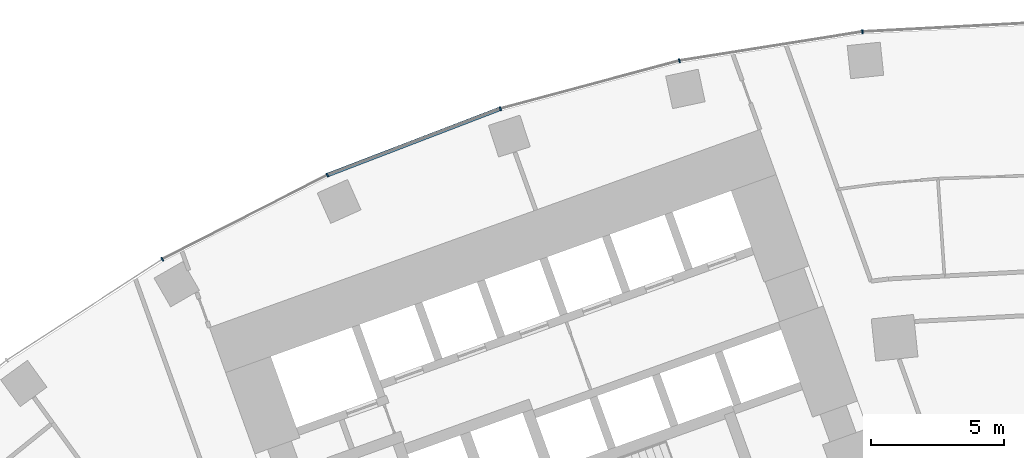
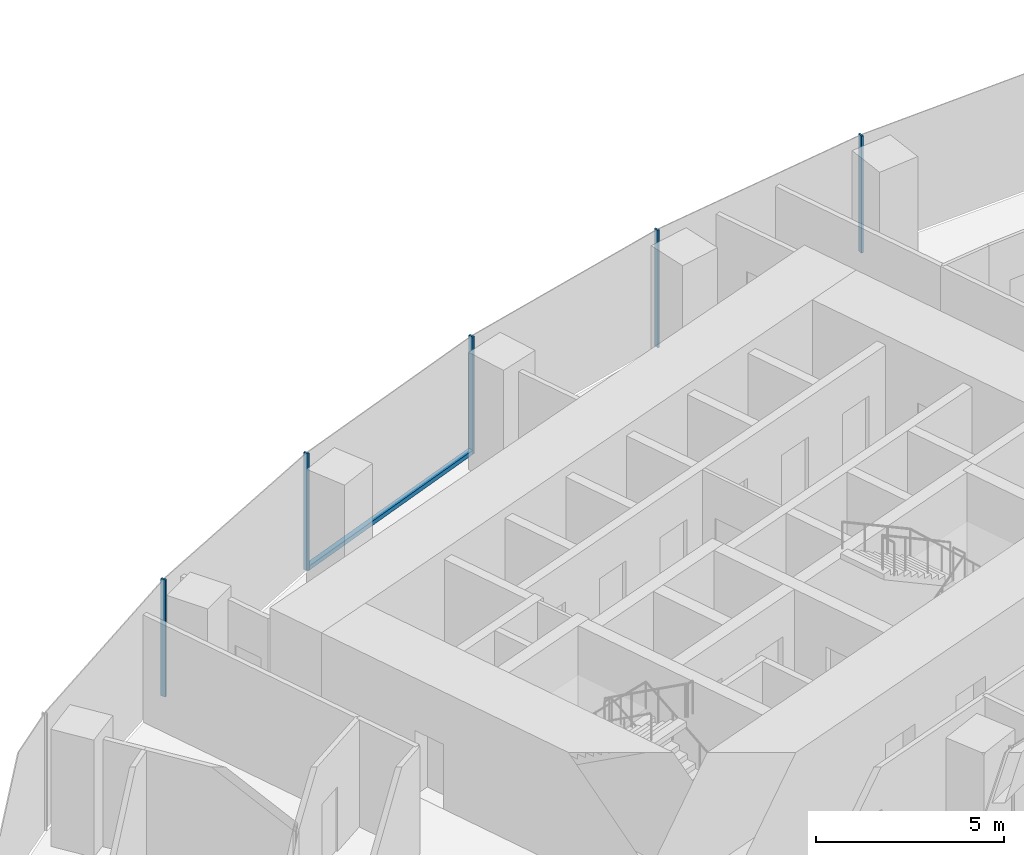
# One storey, part 6 of 21: 6 members, 1 element without a shape of its own.
"""IFC4 building model written with IfcOpenShell, lengths in metres."""

from ifc_helpers import new_model, si_unit, direction, frame, origin, origin_2d, place, context, subcontext, project, spatial, rectangle, extrude, material, layer, layer_set, material_profile, profile_set, type_object, element, aggregate, save


model = new_model("IFC4")

# Units and contexts
model_context = context("Model", 3, precision=1e-05, world=origin(), true_north=direction((0.0, 1.0)))
body_context = subcontext(model_context, "Body", "Model", "MODEL_VIEW")
ifc_project = project(units=[si_unit("LENGTHUNIT", "METRE"), si_unit("AREAUNIT", "SQUARE_METRE"), si_unit("VOLUMEUNIT", "CUBIC_METRE"), si_unit("PLANEANGLEUNIT", "RADIAN"), si_unit("MASSUNIT", "GRAM", prefix="KILO")], contexts=[model_context])

# Site, building, storey
site_placement = place(None, origin())
site = spatial("IfcSite", under=ifc_project, at=site_placement, CompositionType="ELEMENT")
building_placement = place(site_placement, origin())
building = spatial("IfcBuilding", under=site, at=building_placement, Name="Stone Belt Terrace Tower", CompositionType="ELEMENT")
storey_placement = place(building_placement, frame((0.0, 0.0, 33.800048828125)))
storey = spatial("IfcBuildingStorey", under=building, at=storey_placement, Name="L07", CompositionType="ELEMENT", Elevation=33.800048828125)

# Curtain wall, members
ifc_material = material(Name="Aluminium 6063-T6 anodised frame", Category="aluminium")
ifc_layer = layer(ifc_material, 0.14990234375)
ifc_layer_set = layer_set([ifc_layer], Name="CW-A unitised convex-face curtain wall")
curtain_wall_type = type_object("IfcCurtainWallType", Name="CW-A unitised convex-face curtain wall", PredefinedType="NOTDEFINED", material=ifc_layer_set)
curtain_wall_placement = place(storey_placement, origin())
curtain_wall = element("IfcCurtainWall", 1, at=curtain_wall_placement, inside=storey, type_object=curtain_wall_type, Name="CW-A convex face L07", PredefinedType="NOTDEFINED")
ifc_material_profile_1 = material_profile(ifc_material, rectangle(XDim=0.14990234375, YDim=0.06005859375, at=origin_2d()), Name="Aluminium 6063-T6 60x150")
ifc_profile_set_1 = profile_set([ifc_material_profile_1], Name="Aluminium 6063-T6 anodised frame")
member_type_1 = type_object("IfcMemberType", Name="CW-A mullion 60 x 150", PredefinedType="MULLION", material=ifc_profile_set_1)
member_1_placement = place(storey_placement, frame((-6.958984375, 66.21044921875, 0.0), z_axis=(0.0, 0.0, 1.0), x_axis=(0.104528463268, -0.994521895368, 0.0)))
member_1 = element("IfcMember", 2, at=member_1_placement, type_object=member_type_1, Name="CW-A mullion 11", PredefinedType="MULLION", context=body_context, shape_type="SweptSolid", body=[
    extrude(rectangle(XDim=0.14990234375, YDim=0.06005859375, at=origin_2d()), origin(), (0.0, 0.0, 1.0), 3.800048828125),
])
member_2_placement = place(storey_placement, frame((-13.841796875, 65.120361328125, 0.0), z_axis=(0.0, 0.0, 1.0), x_axis=(0.207911690818, -0.978147600734, 0.0)))
member_2 = element("IfcMember", 3, at=member_2_placement, type_object=member_type_1, Name="CW-A mullion 12", PredefinedType="MULLION", context=body_context, shape_type="SweptSolid", body=[
    extrude(rectangle(XDim=0.14990234375, YDim=0.06005859375, at=origin_2d()), origin(), (0.0, 0.0, 1.0), 3.800048828125),
])
member_3_placement = place(storey_placement, frame((-20.57275390625, 63.316650390625, 0.0), z_axis=(0.0, 0.0, 1.0), x_axis=(0.309016994375, -0.951056516295, 0.0)))
member_3 = element("IfcMember", 4, at=member_3_placement, type_object=member_type_1, Name="CW-A mullion 13", PredefinedType="MULLION", context=body_context, shape_type="SweptSolid", body=[
    extrude(rectangle(XDim=0.14990234375, YDim=0.06005859375, at=origin_2d()), origin(), (0.0, 0.0, 1.0), 3.800048828125),
])
member_4_placement = place(storey_placement, frame((-27.07861328125, 60.8193359375, 0.0), z_axis=(0.0, 0.0, 1.0), x_axis=(0.406736643076, -0.913545457643, 0.0)))
member_4 = element("IfcMember", 5, at=member_4_placement, type_object=member_type_1, Name="CW-A mullion 14", PredefinedType="MULLION", context=body_context, shape_type="SweptSolid", body=[
    extrude(rectangle(XDim=0.14990234375, YDim=0.06005859375, at=origin_2d()), origin(), (0.0, 0.0, 1.0), 3.800048828125),
])
member_5_placement = place(storey_placement, frame((-33.28759765625, 57.65576171875, 0.0), z_axis=(0.0, 0.0, 1.0), x_axis=(0.5, -0.866025403784, 0.0)))
member_5 = element("IfcMember", 6, at=member_5_placement, type_object=member_type_1, Name="CW-A mullion 15", PredefinedType="MULLION", context=body_context, shape_type="SweptSolid", body=[
    extrude(rectangle(XDim=0.14990234375, YDim=0.06005859375, at=origin_2d()), origin(), (0.0, 0.0, 1.0), 3.800048828125),
])
ifc_material_profile_2 = material_profile(ifc_material, rectangle(XDim=0.14990234375, YDim=0.139892578125, at=origin_2d()), Name="Aluminium 6063-T6 150x140")
ifc_profile_set_2 = profile_set([ifc_material_profile_2], Name="Aluminium 6063-T6 anodised frame")
member_type_2 = type_object("IfcMemberType", Name="CW-A transom 140 x 150", PredefinedType="USERDEFINED", material=ifc_profile_set_2)
member_6_placement = place(storey_placement, frame((-20.6044921875, 63.304443359375, 0.070068359375), z_axis=(-0.933585210269, -0.358355487146, 0.0), x_axis=(0.358355487146, -0.933585210269, 0.0)))
member_6 = element("IfcMember", 7, at=member_6_placement, type_object=member_type_2, Name="CW-A transom 13.1", ObjectType="TRANSOM", PredefinedType="USERDEFINED", context=body_context, shape_type="SweptSolid", body=[
    extrude(rectangle(XDim=0.14990234375, YDim=0.139892578125, at=origin_2d()), origin(), (0.0, 0.0, 1.0), 6.900634765625),
])
aggregate(curtain_wall, [member_1, member_2, member_3, member_4, member_5, member_6])

save(model, "model.ifc")
